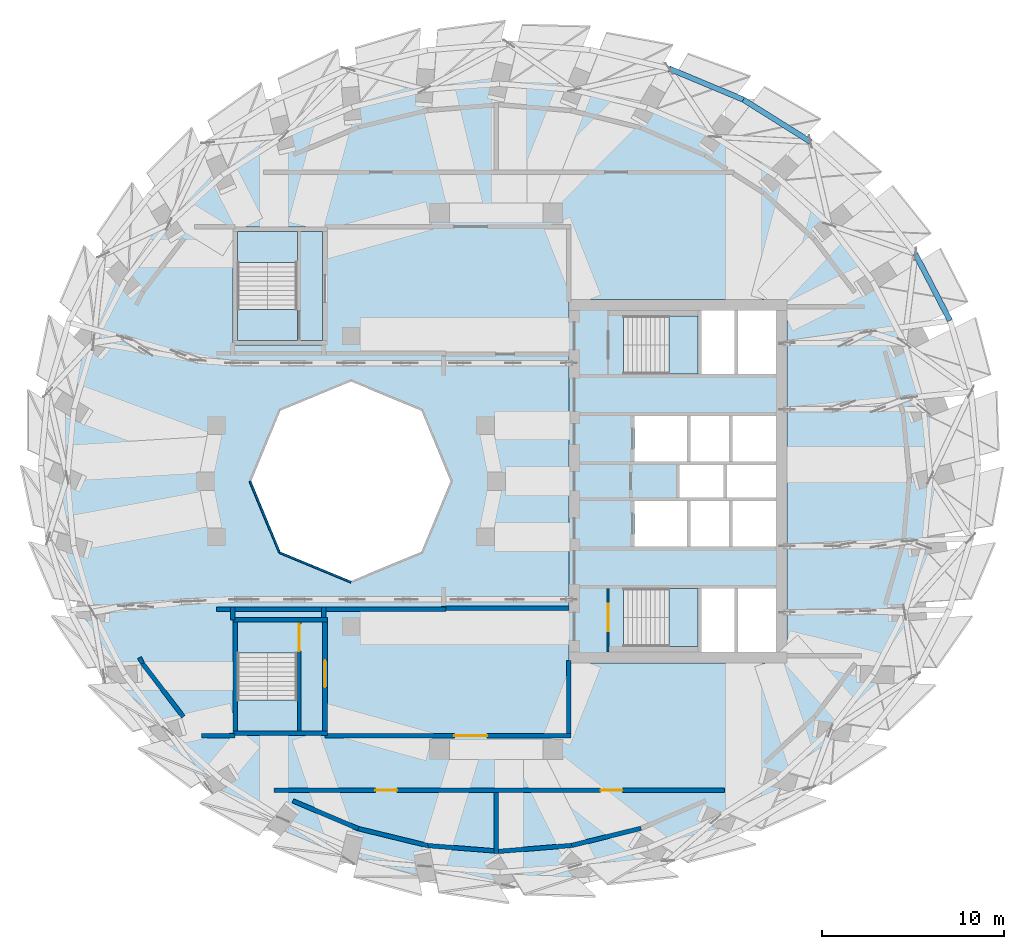
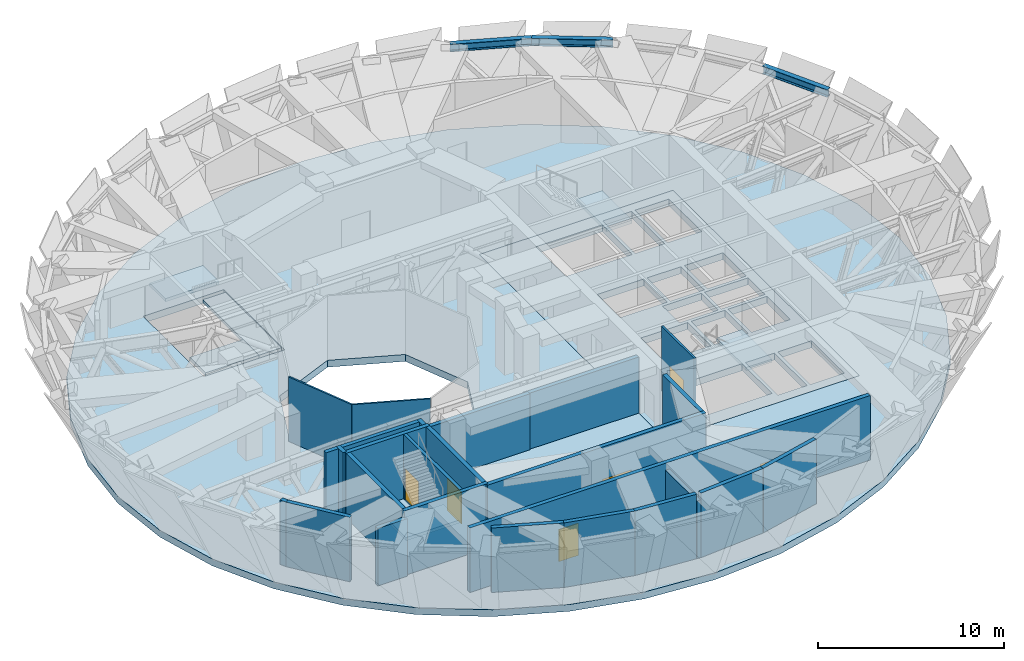
# One storey, part 7 of 16: 26 walls, 10 slabs, 6 doors, 3 members, 6 openings, 4 elements without a shape of their own.
"""IFC4 building model written with IfcOpenShell, lengths in metres."""

from ifc_helpers import new_model, si_unit, direction, frame, frame_2d, origin, origin_2d, place, context, subcontext, project, spatial, polyline, rectangle, i_section, outline, extrude, material, layer, layer_set, material_profile, profile_set, type_object, element, fill, aggregate, save


model = new_model("IFC4")

# Units and contexts
model_context = context("Model", 3, precision=1e-05, world=origin(), true_north=direction((0.0, 1.0)))
body_context = subcontext(model_context, "Body", "Model", "MODEL_VIEW")
ifc_project = project(units=[si_unit("LENGTHUNIT", "METRE"), si_unit("AREAUNIT", "SQUARE_METRE"), si_unit("VOLUMEUNIT", "CUBIC_METRE"), si_unit("PLANEANGLEUNIT", "RADIAN"), si_unit("MASSUNIT", "GRAM", prefix="KILO")], contexts=[model_context])

# Site, building, storey
site_placement = place(None, origin())
site = spatial("IfcSite", under=ifc_project, at=site_placement, CompositionType="ELEMENT")
building_placement = place(site_placement, origin())
building = spatial("IfcBuilding", under=site, at=building_placement, Name="Taillehof Tower", CompositionType="ELEMENT")
storey_placement = place(building_placement, frame((0.0, 0.0, 184.699951171875)))
storey = spatial("IfcBuildingStorey", under=building, at=storey_placement, Name="L52", CompositionType="ELEMENT", Elevation=184.699951171875)

# Members
ifc_material_1 = material(Name="Steel S460M", Category="steel")
ifc_material_profile = material_profile(ifc_material_1, i_section(OverallWidth=0.300048828125, OverallDepth=0.5, WebThickness=0.014404296875, FlangeThickness=0.028076171875, FilletRadius=0.027099609375, at=origin_2d()), Name="HEB 500")
ifc_profile_set = profile_set([ifc_material_profile], Name="Steel S460M")
member_type = type_object("IfcMemberType", Name="Belt truss chord HEB 500", PredefinedType="CHORD", material=ifc_profile_set)
member_1_placement = place(storey_placement, frame((24.97119140625, 8.84228515625, 3.969970703125), z_axis=(-0.460508466426, 0.887655311678, 0.0), x_axis=(-0.887655311678, -0.460508466426, 0.0)))
element("IfcMember", 1, at=member_1_placement, inside=storey, type_object=member_type, Name="Belt truss top chord BT03", PredefinedType="CHORD", context=body_context, shape_type="SweptSolid", body=[
    extrude(i_section(OverallWidth=0.300048828125, OverallDepth=0.5, WebThickness=0.014404296875, FlangeThickness=0.028076171875, FilletRadius=0.027099609375, at=origin_2d()), origin(), (0.0, 0.0, 1.0), 4.134765625),
])
member_2_placement = place(storey_placement, frame((17.29296875, 18.68701171875, 3.969970703125), z_axis=(-0.84712866151, 0.531387834683, 0.0), x_axis=(-0.531387834683, -0.84712866151, 0.0)))
element("IfcMember", 2, at=member_2_placement, inside=storey, type_object=member_type, Name="Belt truss top chord BT06", PredefinedType="CHORD", context=body_context, shape_type="SweptSolid", body=[
    extrude(i_section(OverallWidth=0.300048828125, OverallDepth=0.5, WebThickness=0.014404296875, FlangeThickness=0.028076171875, FilletRadius=0.027099609375, at=origin_2d()), origin(), (0.0, 0.0, 1.0), 4.358642578125),
])
member_3_placement = place(storey_placement, frame((13.6005859375, 21.003173828125, 3.969970703125), z_axis=(-0.922926642921, 0.384975858707, 0.0), x_axis=(-0.384975858707, -0.922926642921, 0.0)))
element("IfcMember", 3, at=member_3_placement, inside=storey, type_object=member_type, Name="Belt truss top chord BT07", PredefinedType="CHORD", context=body_context, shape_type="SweptSolid", body=[
    extrude(i_section(OverallWidth=0.300048828125, OverallDepth=0.5, WebThickness=0.014404296875, FlangeThickness=0.028076171875, FilletRadius=0.027099609375, at=origin_2d()), origin(), (0.0, 0.0, 1.0), 4.424072265625),
])

# Slabs
ifc_material_2 = material(Name="Concrete C40/50", Category="concrete")
ifc_layer_1 = layer(ifc_material_2, 0.449951171875)
ifc_layer_set_1 = layer_set([ifc_layer_1], Name="Core floor slab C40/50 450")
slab_type_1 = type_object("IfcSlabType", Name="Core floor slab C40/50 450", PredefinedType="FLOOR", material=ifc_layer_set_1)
slab_1_placement = place(storey_placement, frame((0.0, 0.0, -0.449951171875)))
element("IfcSlab", 4, at=slab_1_placement, inside=storey, type_object=slab_type_1, Name="Core floor L52", PredefinedType="FLOOR", context=body_context, shape_type="SweptSolid", body=[
    extrude(outline(polyline([(4.0, -10.0), (4.0, 10.0), (16.0, 10.0), (16.0, -10.0), (4.0, -10.0)]), holes=[polyline([(11.10009765625, -9.10009765625), (11.10009765625, -5.89990234375), (7.00048828125, -5.89990234375), (7.00048828125, -9.10009765625), (11.10009765625, -9.10009765625)]), polyline([(10.5, -3.60009765625), (10.5, -1.10009765625), (7.60009765625, -1.10009765625), (7.60009765625, -3.60009765625), (10.5, -3.60009765625)]), polyline([(12.800048828125, -3.60009765625), (12.800048828125, -1.10009765625), (10.699951171875, -1.10009765625), (10.699951171875, -3.60009765625), (12.800048828125, -3.60009765625)]), polyline([(12.5, -0.89990234375), (12.5, 0.89990234375), (10.10009765625, 0.89990234375), (10.10009765625, -0.89990234375), (12.5, -0.89990234375)]), polyline([(10.5, 1.10009765625), (10.5, 3.60009765625), (7.60009765625, 3.60009765625), (7.60009765625, 1.10009765625), (10.5, 1.10009765625)]), polyline([(12.800048828125, 1.10009765625), (12.800048828125, 3.60009765625), (10.699951171875, 3.60009765625), (10.699951171875, 1.10009765625), (12.800048828125, 1.10009765625)]), polyline([(11.10009765625, 5.89990234375), (11.10009765625, 9.10009765625), (7.00048828125, 9.10009765625), (7.00048828125, 5.89990234375), (11.10009765625, 5.89990234375)]), polyline([(13.10009765625, -5.89990234375), (11.300048828125, -5.89990234375), (11.300048828125, -9.39990234375), (13.10009765625, -9.39990234375), (13.10009765625, -5.89990234375)]), polyline([(15.39990234375, -9.39990234375), (15.39990234375, -5.89990234375), (13.300048828125, -5.89990234375), (13.300048828125, -9.39990234375), (15.39990234375, -9.39990234375)]), polyline([(15.39990234375, -3.60009765625), (15.39990234375, -1.10009765625), (13.0, -1.10009765625), (13.0, -3.60009765625), (15.39990234375, -3.60009765625)]), polyline([(15.39990234375, -0.89990234375), (15.39990234375, 0.89990234375), (12.699951171875, 0.89990234375), (12.699951171875, -0.89990234375), (15.39990234375, -0.89990234375)]), polyline([(15.39990234375, 1.10009765625), (15.39990234375, 3.60009765625), (13.0, 3.60009765625), (13.0, 1.10009765625), (15.39990234375, 1.10009765625)]), polyline([(13.10009765625, 5.89990234375), (13.10009765625, 9.39990234375), (11.300048828125, 9.39990234375), (11.300048828125, 5.89990234375), (13.10009765625, 5.89990234375)]), polyline([(15.39990234375, 5.89990234375), (15.39990234375, 9.39990234375), (13.300048828125, 9.39990234375), (13.300048828125, 5.89990234375), (15.39990234375, 5.89990234375)])]), origin(), (0.0, 0.0, 1.0), 0.449951171875),
])
ifc_material_3 = material(Name="Concrete C40/50", Category="concrete")
ifc_layer_2 = layer(ifc_material_3, 0.449951171875)
ifc_layer_set_2 = layer_set([ifc_layer_2], Name="Floor slab 450")
slab_type_2 = type_object("IfcSlabType", Name="Floor slab 450", PredefinedType="FLOOR", material=ifc_layer_set_2)
slab_2_placement = place(storey_placement, frame((0.0, 0.0, -0.449951171875)))
element("IfcSlab", 5, at=slab_2_placement, inside=storey, type_object=slab_type_2, Name="Floor slab L52", PredefinedType="FLOOR", context=body_context, shape_type="SweptSolid", body=[
    extrude(outline(polyline([(24.300048828125, 0.10009765625), (23.932373046875, 3.955078125), (22.840576171875, 7.69287109375), (21.057861328125, 11.199951171875), (18.63818359375, 14.369873046875), (15.655517578125, 17.106201171875), (12.199951171875, 19.32568359375), (8.376953125, 20.961181640625), (4.30224609375, 21.962646484375), (0.10009765625, 22.300048828125), (-4.102294921875, 21.962646484375), (-8.177001953125, 20.961181640625), (-12.0, 19.32568359375), (-15.45556640625, 17.106201171875), (-18.438232421875, 14.369873046875), (-20.85791015625, 11.199951171875), (-22.640625, 7.69287109375), (-23.732421875, 3.955078125), (-24.10009765625, 0.10009765625), (-23.732421875, -3.7548828125), (-22.640625, -7.492919921875), (-20.85791015625, -11.0), (-18.438232421875, -14.169921875), (-15.45556640625, -16.90625), (-12.0, -19.125732421875), (-8.177001953125, -20.76123046875), (-4.102294921875, -21.7626953125), (0.10009765625, -22.10009765625), (4.30224609375, -21.7626953125), (8.376953125, -20.76123046875), (12.199951171875, -19.125732421875), (15.655517578125, -16.90625), (18.63818359375, -14.169921875), (21.057861328125, -11.0), (22.840576171875, -7.492919921875), (23.932373046875, -3.7548828125), (24.300048828125, 0.10009765625)]), holes=[polyline([(-14.5, -7.5), (-9.5, -7.5), (-9.5, -14.0), (-14.5, -14.0), (-14.5, -7.5)]), polyline([(-8.0, -5.5), (-11.88916015625, -3.88916015625), (-13.5, 0.0), (-11.88916015625, 3.88916015625), (-8.0, 5.5), (-4.11083984375, 3.88916015625), (-2.5, 0.0), (-4.11083984375, -3.88916015625), (-8.0, -5.5)]), polyline([(16.0, 10.0), (16.0, -10.0), (4.0, -10.0), (4.0, 10.0), (16.0, 10.0)]), polyline([(-14.5, 14.0), (-9.5, 14.0), (-9.5, 7.5), (-14.5, 7.5), (-14.5, 14.0)])]), origin(), (0.0, 0.0, 1.0), 0.449951171875),
])

# Stair, slab
ifc_material_4 = material(Name="Concrete C40/50", Category="concrete")
stair_type = type_object("IfcStairType", Name="Exit stair half-turn", PredefinedType="HALF_TURN_STAIR", material=ifc_material_4)
stair_1_placement = place(storey_placement, origin())
stair_1 = element("IfcStair", 6, at=stair_1_placement, inside=storey, type_object=stair_type, Name="Exit stair S1", PredefinedType="HALF_TURN_STAIR")
ifc_material_5 = material(Name="Concrete C40/50", Category="concrete")
ifc_layer_3 = layer(ifc_material_5, 0.2099609375)
ifc_layer_set_3 = layer_set([ifc_layer_3], Name="Stair landing C40/50 210")
slab_type_3 = type_object("IfcSlabType", Name="Stair landing C40/50 210", PredefinedType="LANDING", material=ifc_layer_set_3)
slab_3_placement = place(storey_placement, frame((0.0, 0.0, 2.0400390625)))
slab_3 = element("IfcSlab", 7, at=slab_3_placement, type_object=slab_type_3, Name="S1 landing 1", PredefinedType="LANDING", context=body_context, shape_type="SweptSolid", body=[
    extrude(outline(polyline([(9.5, 5.89990234375), (11.10009765625, 5.89990234375), (11.10009765625, 9.10009765625), (9.5, 9.10009765625), (9.5, 5.89990234375)])), origin(), (0.0, 0.0, 1.0), 0.2099609375),
])
aggregate(stair_1, [slab_3])

stair_2_placement = place(storey_placement, origin())
stair_2 = element("IfcStair", 8, at=stair_2_placement, inside=storey, type_object=stair_type, Name="Exit stair S2", PredefinedType="HALF_TURN_STAIR")
slab_4_placement = place(storey_placement, frame((0.0, 0.0, 2.0400390625)))
slab_4 = element("IfcSlab", 9, at=slab_4_placement, type_object=slab_type_3, Name="S2 landing 1", PredefinedType="LANDING", context=body_context, shape_type="SweptSolid", body=[
    extrude(outline(polyline([(9.5, -5.89990234375), (11.10009765625, -5.89990234375), (11.10009765625, -9.10009765625), (9.5, -9.10009765625), (9.5, -5.89990234375)])), origin(), (0.0, 0.0, 1.0), 0.2099609375),
])
aggregate(stair_2, [slab_4])

stair_3_placement = place(storey_placement, origin())
stair_3 = element("IfcStair", 10, at=stair_3_placement, inside=storey, type_object=stair_type, Name="Exit stair S3", PredefinedType="HALF_TURN_STAIR")
slab_5_placement = place(storey_placement, frame((0.0, 0.0, 2.0400390625)))
slab_5 = element("IfcSlab", 11, at=slab_5_placement, type_object=slab_type_3, Name="S3 landing 1", PredefinedType="LANDING", context=body_context, shape_type="SweptSolid", body=[
    extrude(outline(polyline([(-14.25, 12.050048828125), (-14.25, 13.75), (-10.949951171875, 13.75), (-10.949951171875, 12.050048828125), (-14.25, 12.050048828125)])), origin(), (0.0, 0.0, 1.0), 0.2099609375),
])
aggregate(stair_3, [slab_5])

stair_4_placement = place(storey_placement, origin())
stair_4 = element("IfcStair", 12, at=stair_4_placement, inside=storey, type_object=stair_type, Name="Exit stair S4", PredefinedType="HALF_TURN_STAIR")
slab_6_placement = place(storey_placement, frame((0.0, 0.0, 2.0400390625)))
slab_6 = element("IfcSlab", 13, at=slab_6_placement, type_object=slab_type_3, Name="S4 landing 1", PredefinedType="LANDING", context=body_context, shape_type="SweptSolid", body=[
    extrude(outline(polyline([(-14.25, -12.050048828125), (-14.25, -13.75), (-10.949951171875, -13.75), (-10.949951171875, -12.050048828125), (-14.25, -12.050048828125)])), origin(), (0.0, 0.0, 1.0), 0.2099609375),
])
aggregate(stair_4, [slab_6])

# Slabs
slab_7_placement = place(storey_placement, frame((0.0, 0.0, -0.2099609375)))
element("IfcSlab", 14, at=slab_7_placement, inside=storey, type_object=slab_type_3, Name="Stair S3 floor landing", PredefinedType="LANDING", context=body_context, shape_type="SweptSolid", body=[
    extrude(outline(polyline([(-14.25, 7.75), (-14.25, 9.449951171875), (-10.949951171875, 9.449951171875), (-10.949951171875, 7.75), (-14.25, 7.75)])), origin(), (0.0, 0.0, 1.0), 0.2099609375),
])
slab_8_placement = place(storey_placement, frame((0.0, 0.0, -0.2099609375)))
element("IfcSlab", 15, at=slab_8_placement, inside=storey, type_object=slab_type_3, Name="Stair lobby S3 floor", PredefinedType="LANDING", context=body_context, shape_type="SweptSolid", body=[
    extrude(outline(polyline([(-10.949951171875, 7.75), (-9.550048828125, 7.75), (-9.550048828125, 13.75), (-10.949951171875, 13.75), (-10.949951171875, 7.75)])), origin(), (0.0, 0.0, 1.0), 0.2099609375),
])
slab_9_placement = place(storey_placement, frame((0.0, 0.0, -0.2099609375)))
element("IfcSlab", 16, at=slab_9_placement, inside=storey, type_object=slab_type_3, Name="Stair S4 floor landing", PredefinedType="LANDING", context=body_context, shape_type="SweptSolid", body=[
    extrude(outline(polyline([(-14.25, -7.75), (-14.25, -9.449951171875), (-10.949951171875, -9.449951171875), (-10.949951171875, -7.75), (-14.25, -7.75)])), origin(), (0.0, 0.0, 1.0), 0.2099609375),
])
slab_10_placement = place(storey_placement, frame((0.0, 0.0, -0.2099609375)))
element("IfcSlab", 17, at=slab_10_placement, inside=storey, type_object=slab_type_3, Name="Stair lobby S4 floor", PredefinedType="LANDING", context=body_context, shape_type="SweptSolid", body=[
    extrude(outline(polyline([(-10.949951171875, -13.75), (-9.550048828125, -13.75), (-9.550048828125, -7.75), (-10.949951171875, -7.75), (-10.949951171875, -13.75)])), origin(), (0.0, 0.0, 1.0), 0.2099609375),
])

# Walls
ifc_material_6 = material(Name="Fire-resisting glass in steel frame", Category="steel")
ifc_layer_4 = layer(ifc_material_6, 0.10009765625)
ifc_layer_set_4 = layer_set([ifc_layer_4], Name="Atrium fire-resisting screen EI 60 100")
wall_type_1 = type_object("IfcWallType", Name="Atrium fire-resisting screen EI 60 100", PredefinedType="PARTITIONING", material=ifc_layer_set_4)
for number, where, z_axis, x_axis, name in (
    (18, (-8.0, -5.55419921875, 0.0), (0.0, 0.0, 1.0), (-0.923860025149, 0.382730523909, 0.0), "Atrium screen"),
    (19, (-11.92724609375, -3.92724609375, 0.0), (0.0, 0.0, 1.0), (-0.382730523909, 0.923860025149, 0.0), "Atrium screen"),
):
    element("IfcWall", number, at=place(storey_placement, frame(where, z_axis=z_axis, x_axis=x_axis)), inside=storey, type_object=wall_type_1, Name=name, PredefinedType="PARTITIONING", context=body_context, shape_type="SweptSolid", body=[
        extrude(rectangle(XDim=4.2509765625, YDim=0.10009765625, at=frame_2d((2.12548828125, 0.0))), origin(), (0.0, 0.0, 1.0), 4.219970703125),
    ])
ifc_material_7 = material(Name="Calcium silicate blockwork", Category="masonry")
ifc_layer_5 = layer(ifc_material_7, 0.25)
ifc_layer_set_5 = layer_set([ifc_layer_5], Name="Fire-resisting wall EI 120 250 mm")
wall_type_2 = type_object("IfcWallType", Name="Fire-resisting wall EI 120 250 mm", PredefinedType="PARTITIONING", material=ifc_layer_set_5)
wall_1_placement = place(storey_placement, frame((-11.19140625, -17.58837890625, 0.0), z_axis=(0.0, 0.0, 1.0), x_axis=(0.92013404358, -0.391603551881, 0.0)))
element("IfcWall", 20, at=wall_1_placement, inside=storey, type_object=wall_type_2, Name="Wall TRB / L52-08", PredefinedType="PARTITIONING", context=body_context, shape_type="SweptSolid", body=[
    extrude(rectangle(XDim=3.908447265625, YDim=0.25, at=frame_2d((1.9541015625, 0.0))), origin(), (0.0, 0.0, 1.0), 4.219970703125),
])
wall_2_placement = place(storey_placement, frame((-7.59521484375, -19.118896484375, 0.0), z_axis=(0.0, 0.0, 1.0), x_axis=(0.971533177519, -0.236903535176, 0.0)))
element("IfcWall", 21, at=wall_2_placement, inside=storey, type_object=wall_type_2, Name="Wall TRB / L52-08", PredefinedType="PARTITIONING", context=body_context, shape_type="SweptSolid", body=[
    extrude(rectangle(XDim=3.9501953125, YDim=0.25, at=frame_2d((1.97509765625, 0.0))), origin(), (0.0, 0.0, 1.0), 4.219970703125),
])
wall_3_placement = place(storey_placement, frame((-3.757568359375, -20.0546875, 0.0), z_axis=(0.0, 0.0, 1.0), x_axis=(0.996917299027, -0.078459536707, 0.0)))
element("IfcWall", 22, at=wall_3_placement, inside=storey, type_object=wall_type_2, Name="Wall TRB / L52-08", PredefinedType="PARTITIONING", context=body_context, shape_type="SweptSolid", body=[
    extrude(rectangle(XDim=3.653076171875, YDim=0.25, at=frame_2d((1.82666015625, 0.0))), origin(), (0.0, 0.0, 1.0), 4.219970703125),
])
wall_4_placement = place(storey_placement, frame((0.115966796875, -20.373291015625, 0.0), z_axis=(0.0, 0.0, 1.0), x_axis=(0.996675927818, 0.081468367527, 0.0)))
element("IfcWall", 23, at=wall_4_placement, inside=storey, type_object=wall_type_2, Name="Wall TRB / L52-09", PredefinedType="PARTITIONING", context=body_context, shape_type="SweptSolid", body=[
    extrude(rectangle(XDim=4.048583984375, YDim=0.25, at=frame_2d((2.0244140625, 0.0))), origin(), (0.0, 0.0, 1.0), 4.219970703125),
])
wall_5_placement = place(storey_placement, frame((4.151123046875, -20.04345703125, 0.0), z_axis=(0.0, 0.0, 1.0), x_axis=(0.970864109011, 0.23963071972, 0.0)))
element("IfcWall", 24, at=wall_5_placement, inside=storey, type_object=wall_type_2, Name="Wall TRB / L52-09", PredefinedType="PARTITIONING", context=body_context, shape_type="SweptSolid", body=[
    extrude(rectangle(XDim=3.936767578125, YDim=0.25, at=frame_2d((1.96826171875, 0.0))), origin(), (0.0, 0.0, 1.0), 4.219970703125),
])
wall_6_placement = place(storey_placement, frame((-19.634521484375, -9.699951171875, 0.0), z_axis=(0.0, 0.0, 1.0), x_axis=(0.453345581503, -0.891334832558, 0.0)))
element("IfcWall", 25, at=wall_6_placement, inside=storey, type_object=wall_type_2, Name="Wall TRB / L52-11", PredefinedType="PARTITIONING", context=body_context, shape_type="SweptSolid", body=[
    extrude(rectangle(XDim=0.36572265625, YDim=0.25, at=frame_2d((0.182861328125, 0.0))), origin(), (0.0, 0.0, 1.0), 4.219970703125),
])
wall_7_placement = place(storey_placement, frame((-19.46875, -10.02587890625, 0.0), z_axis=(0.0, 0.0, 1.0), x_axis=(0.607609144604, -0.794236191189, 0.0)))
element("IfcWall", 26, at=wall_7_placement, inside=storey, type_object=wall_type_2, Name="Wall TRB / L52-11", PredefinedType="PARTITIONING", context=body_context, shape_type="SweptSolid", body=[
    extrude(rectangle(XDim=3.703369140625, YDim=0.25, at=frame_2d((1.8515625, 0.0))), origin(), (0.0, 0.0, 1.0), 4.219970703125),
])

# Wall, openings, doors
wall_8_placement = place(storey_placement, frame((-12.236083984375, -17.0, 0.0), z_axis=(0.0, 0.0, 1.0), x_axis=(1.0, 0.0, 0.0)))
wall_8 = element("IfcWall", 27, at=wall_8_placement, inside=storey, type_object=wall_type_2, Name="Wall L52-05 / L52-08", PredefinedType="PARTITIONING", context=body_context, shape_type="SweptSolid", body=[
    extrude(rectangle(XDim=24.790771484375, YDim=0.25, at=frame_2d((12.3955078125, 0.0))), origin(), (0.0, 0.0, 1.0), 4.219970703125),
])
opening_1_placement = place(wall_8_placement, frame((5.580078125, 0.0, 0.0)))
opening_1 = element("IfcOpeningElement", 28, at=opening_1_placement, cuts=wall_8, Name="Opening D5241", PredefinedType="OPENING", context=body_context, shape_type="SweptSolid", body=[
    extrude(rectangle(XDim=1.199951171875, YDim=2.10009765625, at=frame_2d((0.60009765625, 1.050048828125))), frame((0.0, 0.135009765625, 0.0), z_axis=(0.0, -1.0, 0.0), x_axis=(1.0, 0.0, 0.0)), (0.0, 0.0, 1.0), 0.27001953125),
])
opening_2_placement = place(wall_8_placement, frame((17.976318359375, 0.0, 0.0)))
opening_2 = element("IfcOpeningElement", 29, at=opening_2_placement, cuts=wall_8, Name="Opening D5242", PredefinedType="OPENING", context=body_context, shape_type="SweptSolid", body=[
    extrude(rectangle(XDim=1.199951171875, YDim=2.10009765625, at=frame_2d((0.60009765625, 1.050048828125))), frame((0.0, 0.135009765625, 0.0), z_axis=(0.0, -1.0, 0.0), x_axis=(1.0, 0.0, 0.0)), (0.0, 0.0, 1.0), 0.27001953125),
])
ifc_material_8 = material(Name="Hollow metal door set")
door_type_1 = type_object("IfcDoorType", Name="Single door 1200 x 2100 FD120S", OperationType="SINGLE_SWING_LEFT", PredefinedType="DOOR", material=ifc_material_8)
door_1_placement = place(opening_1_placement, origin())
door_1 = element("IfcDoor", 30, at=door_1_placement, inside=storey, type_object=door_type_1, Name="Door D5241", OperationType="SINGLE_SWING_RIGHT", OverallHeight=2.10009765625, OverallWidth=1.199951171875, PredefinedType="DOOR", context=body_context, shape_type="SweptSolid", body=[
    extrude(rectangle(XDim=1.199951171875, YDim=2.10009765625, at=frame_2d((0.60009765625, 1.050048828125))), frame((0.0, 0.02490234375, 0.0), z_axis=(0.0, -1.0, 0.0), x_axis=(1.0, 0.0, 0.0)), (0.0, 0.0, 1.0), 0.050048828125),
])
fill(opening_1, door_1)
door_2_placement = place(opening_2_placement, origin())
door_2 = element("IfcDoor", 31, at=door_2_placement, inside=storey, type_object=door_type_1, Name="Door D5242", OperationType="SINGLE_SWING_LEFT", OverallHeight=2.10009765625, OverallWidth=1.199951171875, PredefinedType="DOOR", context=body_context, shape_type="SweptSolid", body=[
    extrude(rectangle(XDim=1.199951171875, YDim=2.10009765625, at=frame_2d((0.60009765625, 1.050048828125))), frame((0.0, 0.02490234375, 0.0), z_axis=(0.0, -1.0, 0.0), x_axis=(1.0, 0.0, 0.0)), (0.0, 0.0, 1.0), 0.050048828125),
])
fill(opening_2, door_2)

# Wall
wall_9_placement = place(storey_placement, frame((-16.21435546875, -14.0, 0.0), z_axis=(0.0, 0.0, 1.0), x_axis=(1.0, 0.0, 0.0)))
element("IfcWall", 32, at=wall_9_placement, inside=storey, type_object=wall_type_2, Name="Wall L52-05 / L52-11", PredefinedType="PARTITIONING", context=body_context, shape_type="SweptSolid", body=[
    extrude(rectangle(XDim=1.83935546875, YDim=0.25, at=frame_2d((0.919677734375, 0.0))), origin(), (0.0, 0.0, 1.0), 3.77001953125),
])

# Wall, opening, door
wall_10_placement = place(storey_placement, frame((-9.425048828125, -14.0, 0.0), z_axis=(0.0, 0.0, 1.0), x_axis=(1.0, 0.0, 0.0)))
wall_10 = element("IfcWall", 33, at=wall_10_placement, inside=storey, type_object=wall_type_2, Name="Wall L52-02 / L52-05", PredefinedType="PARTITIONING", context=body_context, shape_type="SweptSolid", body=[
    extrude(rectangle(XDim=13.550048828125, YDim=0.25, at=frame_2d((6.77490234375, 0.0))), origin(), (0.0, 0.0, 1.0), 4.219970703125),
])
opening_3_placement = place(wall_10_placement, frame((7.125, 0.0, 0.0)))
opening_3 = element("IfcOpeningElement", 34, at=opening_3_placement, cuts=wall_10, Name="Opening D5243", PredefinedType="OPENING", context=body_context, shape_type="SweptSolid", body=[
    extrude(rectangle(XDim=1.800048828125, YDim=2.10009765625, at=frame_2d((0.89990234375, 1.050048828125))), frame((0.0, 0.135009765625, 0.0), z_axis=(0.0, -1.0, 0.0), x_axis=(1.0, 0.0, 0.0)), (0.0, 0.0, 1.0), 0.27001953125),
])
ifc_material_9 = material(Name="Hollow metal door set")
door_type_2 = type_object("IfcDoorType", Name="Double door 1800 x 2100 FD120S", OperationType="DOUBLE_DOOR_SINGLE_SWING", PredefinedType="DOOR", material=ifc_material_9)
door_3_placement = place(opening_3_placement, origin())
door_3 = element("IfcDoor", 35, at=door_3_placement, inside=storey, type_object=door_type_2, Name="Door D5243", OperationType="DOUBLE_DOOR_SINGLE_SWING", OverallHeight=2.10009765625, OverallWidth=1.800048828125, PredefinedType="DOOR", context=body_context, shape_type="SweptSolid", body=[
    extrude(rectangle(XDim=1.800048828125, YDim=2.10009765625, at=frame_2d((0.89990234375, 1.050048828125))), frame((0.0, 0.02490234375, 0.0), z_axis=(0.0, -1.0, 0.0), x_axis=(1.0, 0.0, 0.0)), (0.0, 0.0, 1.0), 0.050048828125),
])
fill(opening_3, door_3)

# Walls
wall_11_placement = place(storey_placement, frame((-15.402099609375, -7.050048828125, 0.0), z_axis=(0.0, 0.0, 1.0), x_axis=(1.0, 0.0, 0.0)))
element("IfcWall", 36, at=wall_11_placement, inside=storey, type_object=wall_type_2, Name="Wall TROT6 / L52-11", PredefinedType="PARTITIONING", context=body_context, shape_type="SweptSolid", body=[
    extrude(rectangle(XDim=0.777099609375, YDim=0.25, at=frame_2d((0.388671875, 0.0))), origin(), (0.0, 0.0, 1.0), 4.219970703125),
])
wall_12_placement = place(storey_placement, frame((-14.375, -7.050048828125, 0.0), z_axis=(0.0, 0.0, 1.0), x_axis=(1.0, 0.0, 0.0)))
element("IfcWall", 37, at=wall_12_placement, inside=storey, type_object=wall_type_2, Name="Wall TROT6 / L52-12", PredefinedType="PARTITIONING", context=body_context, shape_type="SweptSolid", body=[
    extrude(rectangle(XDim=4.75, YDim=0.25, at=frame_2d((2.375, 0.0))), origin(), (0.0, 0.0, 1.0), 4.219970703125),
])
wall_13_placement = place(storey_placement, frame((-9.375, -7.050048828125, 0.0), z_axis=(0.0, 0.0, 1.0), x_axis=(1.0, 0.0, 0.0)))
element("IfcWall", 38, at=wall_13_placement, inside=storey, type_object=wall_type_2, Name="Wall TROT6 / L52-02", PredefinedType="PARTITIONING", context=body_context, shape_type="SweptSolid", body=[
    extrude(rectangle(XDim=6.60009765625, YDim=0.25, at=frame_2d((3.300048828125, 0.0))), origin(), (0.0, 0.0, 1.0), 3.670166015625),
])
wall_14_placement = place(storey_placement, frame((-3.02490234375, -7.0, 0.0), z_axis=(0.0, 0.0, 1.0), x_axis=(1.0, 0.0, 0.0)))
element("IfcWall", 39, at=wall_14_placement, inside=storey, type_object=wall_type_2, Name="Wall L52-02 / L52-03", PredefinedType="PARTITIONING", context=body_context, shape_type="SweptSolid", body=[
    extrude(rectangle(XDim=7.02685546875, YDim=0.25, at=frame_2d((3.513427734375, 0.0))), origin(), (0.0, 0.0, 1.0), 3.670166015625),
])
wall_15_placement = place(storey_placement, frame((-14.5, -7.625, 0.0), z_axis=(0.0, 0.0, 1.0), x_axis=(0.0, 1.0, 0.0)))
element("IfcWall", 40, at=wall_15_placement, inside=storey, type_object=wall_type_2, Name="Wall L52-11 / L52-12", PredefinedType="PARTITIONING", context=body_context, shape_type="SweptSolid", body=[
    extrude(rectangle(XDim=0.699951171875, YDim=0.25, at=frame_2d((0.35009765625, 0.0))), origin(), (0.0, 0.0, 1.0), 4.219970703125),
])
wall_16_placement = place(storey_placement, frame((-9.5, -7.501953125, 0.0), z_axis=(0.0, 0.0, 1.0), x_axis=(0.0, 1.0, 0.0)))
element("IfcWall", 41, at=wall_16_placement, inside=storey, type_object=wall_type_2, Name="Wall L52-02 / L52-12", PredefinedType="PARTITIONING", context=body_context, shape_type="SweptSolid", body=[
    extrude(rectangle(XDim=0.576904296875, YDim=0.25, at=frame_2d((0.28857421875, 0.0))), origin(), (0.0, 0.0, 1.0), 4.219970703125),
])
wall_17_placement = place(storey_placement, frame((0.0, -20.4755859375, 0.0), z_axis=(0.0, 0.0, 1.0), x_axis=(0.0, 1.0, 0.0)))
element("IfcWall", 42, at=wall_17_placement, inside=storey, type_object=wall_type_2, Name="Wall L52-08 / L52-09", PredefinedType="PARTITIONING", context=body_context, shape_type="SweptSolid", body=[
    extrude(rectangle(XDim=3.3505859375, YDim=0.25, at=frame_2d((1.67529296875, 0.0))), origin(), (0.0, 0.0, 1.0), 3.77001953125),
])
wall_18_placement = place(storey_placement, frame((4.0, -13.875, 0.0), z_axis=(0.0, 0.0, 1.0), x_axis=(0.0, 1.0, 0.0)))
element("IfcWall", 43, at=wall_18_placement, inside=storey, type_object=wall_type_2, Name="Wall L52-02 / L52-05", PredefinedType="PARTITIONING", context=body_context, shape_type="SweptSolid", body=[
    extrude(rectangle(XDim=4.0, YDim=0.25, at=frame_2d((2.0, 0.0))), origin(), (0.0, 0.0, 1.0), 4.219970703125),
])

# Wall, opening, door
ifc_material_10 = material(Name="Concrete C50/60", Category="concrete")
ifc_layer_6 = layer(ifc_material_10, 0.199951171875)
ifc_layer_set_6 = layer_set([ifc_layer_6], Name="Shaft wall C50/60 200")
wall_type_3 = type_object("IfcWallType", Name="Shaft wall C50/60 200", PredefinedType="SHEAR", material=ifc_layer_set_6)
wall_19_placement = place(storey_placement, frame((-10.85009765625, -13.75, 0.0), z_axis=(0.0, 0.0, 1.0), x_axis=(0.0, 1.0, 0.0)))
wall_19 = element("IfcWall", 44, at=wall_19_placement, inside=storey, type_object=wall_type_3, Name="Shaft wall SW", PredefinedType="SHEAR", context=body_context, shape_type="SweptSolid", body=[
    extrude(rectangle(XDim=6.0, YDim=0.199951171875, at=frame_2d((3.0, 0.0))), origin(), (0.0, 0.0, 1.0), 4.219970703125),
])
opening_4_placement = place(wall_19_placement, frame((4.39990234375, 0.0, 0.0)))
opening_4 = element("IfcOpeningElement", 45, at=opening_4_placement, cuts=wall_19, Name="Opening D5211", PredefinedType="OPENING", context=body_context, shape_type="SweptSolid", body=[
    extrude(rectangle(XDim=1.5, YDim=2.10009765625, at=frame_2d((0.75, 1.050048828125))), frame((0.0, 0.10986328125, 0.0), z_axis=(0.0, -1.0, 0.0), x_axis=(1.0, 0.0, 0.0)), (0.0, 0.0, 1.0), 0.219970703125),
])
ifc_material_11 = material(Name="Steel-faced fire door", Category="steel")
door_type_3 = type_object("IfcDoorType", Name="Stair door 1500x2100", OperationType="DOUBLE_DOOR_SINGLE_SWING", PredefinedType="DOOR", material=ifc_material_11)
door_4_placement = place(opening_4_placement, origin())
door_4 = element("IfcDoor", 46, at=door_4_placement, inside=storey, type_object=door_type_3, Name="Stair lobby door S4", OperationType="DOUBLE_DOOR_SINGLE_SWING", OverallHeight=2.10009765625, OverallWidth=1.5, PredefinedType="DOOR", context=body_context, shape_type="SweptSolid", body=[
    extrude(rectangle(XDim=1.5, YDim=2.10009765625, at=frame_2d((0.75, 1.050048828125))), frame((0.0, 0.02490234375, 0.0), z_axis=(0.0, -1.0, 0.0), x_axis=(1.0, 0.0, 0.0)), (0.0, 0.0, 1.0), 0.050048828125),
])
fill(opening_4, door_4)

ifc_material_12 = material(Name="Concrete C50/60", Category="concrete")
ifc_layer_7 = layer(ifc_material_12, 0.1201171875)
ifc_layer_set_7 = layer_set([ifc_layer_7], Name="Stair lobby wall C50/60 120")
wall_type_4 = type_object("IfcWallType", Name="Stair lobby wall C50/60 120", PredefinedType="SHEAR", material=ifc_layer_set_7)
wall_20_placement = place(storey_placement, frame((6.159912109375, -9.39990234375, 0.0), z_axis=(0.0, 0.0, 1.0), x_axis=(0.0, 1.0, 0.0)))
wall_20 = element("IfcWall", 47, at=wall_20_placement, inside=storey, type_object=wall_type_4, Name="Compartment wall SW", PredefinedType="SHEAR", context=body_context, shape_type="SweptSolid", body=[
    extrude(rectangle(XDim=3.5, YDim=0.1201171875, at=frame_2d((1.75, 0.0))), origin(), (0.0, 0.0, 1.0), 4.219970703125),
])
opening_5_placement = place(wall_20_placement, frame((1.14990234375, 0.0, 0.0)))
opening_5 = element("IfcOpeningElement", 48, at=opening_5_placement, cuts=wall_20, Name="Opening D5209", PredefinedType="OPENING", context=body_context, shape_type="SweptSolid", body=[
    extrude(rectangle(XDim=1.5, YDim=2.10009765625, at=frame_2d((0.75, 1.050048828125))), frame((0.0, 0.070068359375, 0.0), z_axis=(0.0, -1.0, 0.0), x_axis=(1.0, 0.0, 0.0)), (0.0, 0.0, 1.0), 0.14013671875),
])
door_5_placement = place(opening_5_placement, origin())
door_5 = element("IfcDoor", 49, at=door_5_placement, inside=storey, type_object=door_type_3, Name="Stair lobby door S2", OperationType="DOUBLE_DOOR_SINGLE_SWING", OverallHeight=2.10009765625, OverallWidth=1.5, PredefinedType="DOOR", context=body_context, shape_type="SweptSolid", body=[
    extrude(rectangle(XDim=1.5, YDim=2.10009765625, at=frame_2d((0.75, 1.050048828125))), frame((0.0, 0.02490234375, 0.0), z_axis=(0.0, -1.0, 0.0), x_axis=(1.0, 0.0, 0.0)), (0.0, 0.0, 1.0), 0.050048828125),
])
fill(opening_5, door_5)

# Wall
ifc_material_13 = material(Name="Concrete C50/60", Category="concrete")
ifc_layer_8 = layer(ifc_material_13, 0.25)
ifc_layer_set_8 = layer_set([ifc_layer_8], Name="Stair wall C50/60 250")
wall_type_5 = type_object("IfcWallType", Name="Stair wall C50/60 250", PredefinedType="SHEAR", material=ifc_layer_set_8)
wall_21_placement = place(storey_placement, frame((-14.375, -13.75, -0.449951171875), z_axis=(0.0, 0.0, 1.0), x_axis=(0.0, 1.0, 0.0)))
element("IfcWall", 50, at=wall_21_placement, inside=storey, type_object=wall_type_5, Name="Stair wall SC", PredefinedType="SHEAR", context=body_context, shape_type="SweptSolid", body=[
    extrude(rectangle(XDim=6.0, YDim=0.25, at=frame_2d((3.0, 0.0))), origin(), (0.0, 0.0, 1.0), 4.669921875),
])

# Wall, opening, door
wall_22_placement = place(storey_placement, frame((-9.425048828125, -13.75, -0.449951171875), z_axis=(0.0, 0.0, 1.0), x_axis=(0.0, 1.0, 0.0)))
wall_22 = element("IfcWall", 51, at=wall_22_placement, inside=storey, type_object=wall_type_5, Name="Stair wall SC", PredefinedType="SHEAR", context=body_context, shape_type="SweptSolid", body=[
    extrude(rectangle(XDim=6.0, YDim=0.25, at=frame_2d((3.0, 0.0))), origin(), (0.0, 0.0, 1.0), 4.669921875),
])
opening_6_placement = place(wall_22_placement, frame((2.39990234375, 0.0, 0.449951171875)))
opening_6 = element("IfcOpeningElement", 52, at=opening_6_placement, cuts=wall_22, Name="Opening D5214", PredefinedType="OPENING", context=body_context, shape_type="SweptSolid", body=[
    extrude(rectangle(XDim=1.5, YDim=2.10009765625, at=frame_2d((0.75, 1.050048828125))), frame((0.0, 0.135009765625, 0.0), z_axis=(0.0, -1.0, 0.0), x_axis=(1.0, 0.0, 0.0)), (0.0, 0.0, 1.0), 0.27001953125),
])
door_6_placement = place(opening_6_placement, origin())
door_6 = element("IfcDoor", 53, at=door_6_placement, inside=storey, type_object=door_type_3, Name="Stair door S4", OperationType="DOUBLE_DOOR_SINGLE_SWING", OverallHeight=2.10009765625, OverallWidth=1.5, PredefinedType="DOOR", context=body_context, shape_type="SweptSolid", body=[
    extrude(rectangle(XDim=1.5, YDim=2.10009765625, at=frame_2d((0.75, 1.050048828125))), frame((0.0, 0.02490234375, 0.0), z_axis=(0.0, -1.0, 0.0), x_axis=(1.0, 0.0, 0.0)), (0.0, 0.0, 1.0), 0.050048828125),
])
fill(opening_6, door_6)

# Walls
for number, where, z_axis, x_axis, name in (
    (54, (-14.5, -7.625, -0.449951171875), (0.0, 0.0, 1.0), (1.0, 0.0, 0.0), "Stair wall SC"),
    (55, (-14.5, -13.875, -0.449951171875), (0.0, 0.0, 1.0), (1.0, 0.0, 0.0), "Stair wall SC"),
):
    element("IfcWall", number, at=place(storey_placement, frame(where, z_axis=z_axis, x_axis=x_axis)), inside=storey, type_object=wall_type_5, Name=name, PredefinedType="SHEAR", context=body_context, shape_type="SweptSolid", body=[
        extrude(rectangle(XDim=5.199951171875, YDim=0.25, at=frame_2d((2.60009765625, 0.0))), origin(), (0.0, 0.0, 1.0), 4.669921875),
    ])

save(model, "model.ifc")
